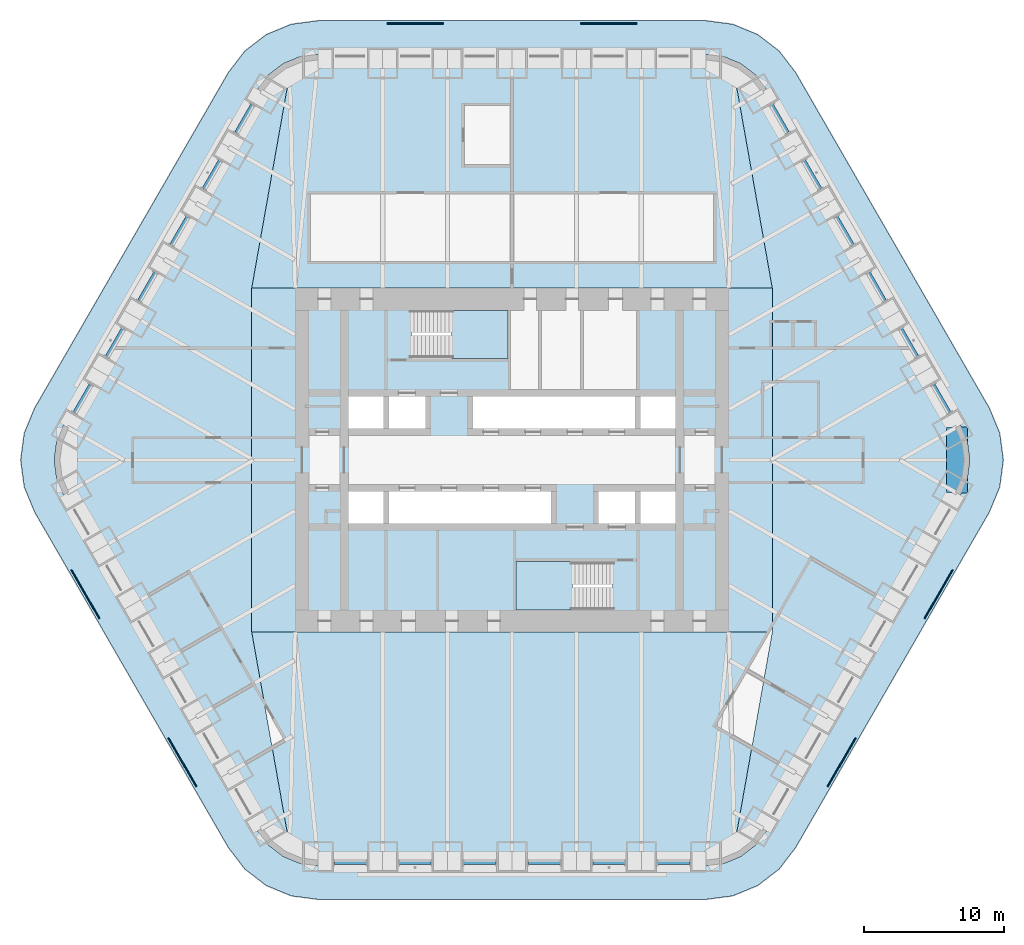
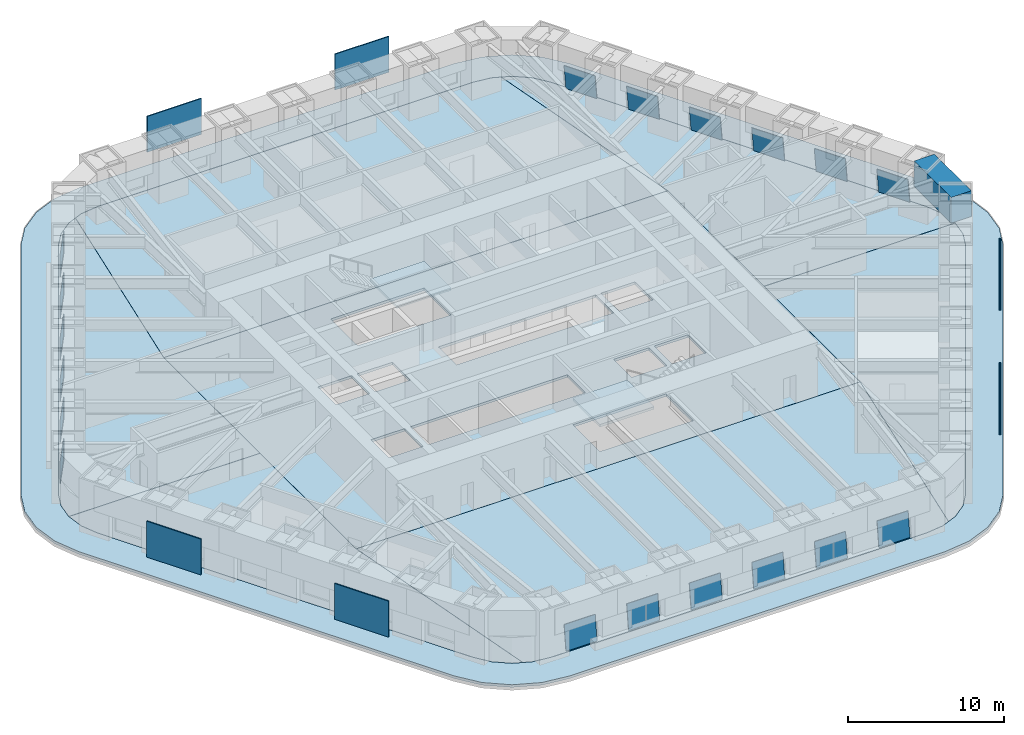
# One storey, part 13 of 20: 24 plates, 10 slabs, 1 beam, 20 elements without a shape of their own.
"""IFC4 building model written with IfcOpenShell, lengths in metres."""

from ifc_helpers import new_model, si_unit, direction, frame, origin, origin_2d, place, context, subcontext, project, spatial, polyline, rectangle, outline, extrude, material, layer, layer_set, material_profile, profile_set, type_object, element, aggregate, save


model = new_model("IFC4")

# Units and contexts
model_context = context("Model", 3, precision=1e-05, world=origin(), true_north=direction((0.0, 1.0)))
body_context = subcontext(model_context, "Body", "Model", "MODEL_VIEW")
ifc_project = project(units=[si_unit("LENGTHUNIT", "METRE"), si_unit("AREAUNIT", "SQUARE_METRE"), si_unit("VOLUMEUNIT", "CUBIC_METRE"), si_unit("PLANEANGLEUNIT", "RADIAN"), si_unit("MASSUNIT", "GRAM", prefix="KILO")], contexts=[model_context])

# Site, building, storey
site_placement = place(None, origin())
site = spatial("IfcSite", under=ifc_project, at=site_placement, CompositionType="ELEMENT")
building_placement = place(site_placement, origin())
building = spatial("IfcBuilding", under=site, at=building_placement, Name="Tarfa Lantern Tower", CompositionType="ELEMENT")
storey_placement = place(building_placement, frame((0.0, 0.0, 215.5)))
storey = spatial("IfcBuildingStorey", under=building, at=storey_placement, Name="L48", CompositionType="ELEMENT", Elevation=215.5)

# Beam
ifc_material_1 = material(Name="Concrete C80/95", Category="concrete")
ifc_material_profile = material_profile(ifc_material_1, rectangle(XDim=1.5, YDim=2.0, at=origin_2d()), Name="RC 1500x2000")
ifc_profile_set = profile_set([ifc_material_profile], Name="Concrete C80/95")
beam_type = type_object("IfcBeamType", Name="RB3 RC 1500x2000", PredefinedType="BEAM", material=ifc_profile_set)
beam_placement = place(storey_placement, frame((31.800537109375, -2.360107421875, 3.0), z_axis=(0.0, 1.0, 0.0), x_axis=(-1.0, 0.0, 0.0)))
element("IfcBeam", 1, at=beam_placement, inside=storey, type_object=beam_type, Name="Edge beam SE6", PredefinedType="BEAM", context=body_context, shape_type="SweptSolid", body=[
    extrude(rectangle(XDim=1.5, YDim=2.0, at=origin_2d()), origin(), (0.0, 0.0, 1.0), 4.72021484375),
])

# Slab
ifc_material_2 = material(Name="Concrete C40/50", Category="concrete")
ifc_layer_1 = layer(ifc_material_2, 0.199951171875)
ifc_layer_set_1 = layer_set([ifc_layer_1], Name="BS2 BALCONY SLAB 200")
slab_type_1 = type_object("IfcSlabType", Name="BS2 BALCONY SLAB 200", PredefinedType="FLOOR", material=ifc_layer_set_1)
slab_1_placement = place(storey_placement, frame((0.0, 0.0, -0.199951171875)))
element("IfcSlab", 2, at=slab_1_placement, inside=storey, type_object=slab_type_1, Name="Planted ledge L48", PredefinedType="FLOOR", context=body_context, shape_type="SweptSolid", body=[
    extrude(outline(polyline([(34.121337890625, 3.699951171875), (20.264892578125, 27.699951171875), (19.089111328125, 29.232666015625), (17.556396484375, 30.40869140625), (15.771728515625, 31.14794921875), (13.8564453125, 31.39990234375), (-13.8564453125, 31.39990234375), (-15.771728515625, 31.14794921875), (-17.556396484375, 30.40869140625), (-19.089111328125, 29.232666015625), (-20.264892578125, 27.699951171875), (-34.121337890625, 3.699951171875), (-34.860595703125, 1.915283203125), (-35.11279296875, 0.0), (-34.860595703125, -1.915283203125), (-34.121337890625, -3.699951171875), (-20.264892578125, -27.699951171875), (-19.089111328125, -29.232666015625), (-17.556396484375, -30.40869140625), (-15.771728515625, -31.14794921875), (-13.8564453125, -31.39990234375), (13.8564453125, -31.39990234375), (15.771728515625, -31.14794921875), (17.556396484375, -30.40869140625), (19.089111328125, -29.232666015625), (20.264892578125, -27.699951171875), (34.121337890625, -3.699951171875), (34.860595703125, -1.915283203125), (35.11279296875, 0.0), (34.860595703125, 1.915283203125), (34.121337890625, 3.699951171875)]), holes=[polyline([(32.04296875, 2.5), (18.1865234375, 26.5), (17.391845703125, 27.53564453125), (16.3564453125, 28.330078125), (15.150390625, 28.82958984375), (13.8564453125, 29.0), (-13.8564453125, 29.0), (-15.150390625, 28.82958984375), (-16.3564453125, 28.330078125), (-17.391845703125, 27.53564453125), (-18.1865234375, 26.5), (-32.04296875, 2.5), (-32.54248046875, 1.294189453125), (-32.712890625, 0.0), (-32.54248046875, -1.294189453125), (-32.04296875, -2.5), (-18.1865234375, -26.5), (-17.391845703125, -27.53564453125), (-16.3564453125, -28.330078125), (-15.150390625, -28.82958984375), (-13.8564453125, -29.0), (13.8564453125, -29.0), (15.150390625, -28.82958984375), (16.3564453125, -28.330078125), (17.391845703125, -27.53564453125), (18.1865234375, -26.5), (32.04296875, -2.5), (32.54248046875, -1.294189453125), (32.712890625, 0.0), (32.54248046875, 1.294189453125), (32.04296875, 2.5)])]), origin(), (0.0, 0.0, 1.0), 0.199951171875),
])

# Curtain wall, plate
ifc_material_3 = material(Name="Aluminium framed curtain wall", Category="aluminium")
curtain_wall_type = type_object("IfcCurtainWallType", Name="CW3 CANTED GLAZING HIGH ZONE 2000", PredefinedType="USERDEFINED", material=ifc_material_3)
curtain_wall_1_placement = place(storey_placement, origin())
curtain_wall_1 = element("IfcCurtainWall", 3, at=curtain_wall_1_placement, inside=storey, type_object=curtain_wall_type, Name="CW3 NE L48", ObjectType="CURTAIN WALL", PredefinedType="USERDEFINED")
ifc_material_4 = material(Name="Laminated double glazing", Category="glass")
ifc_layer_2 = layer(ifc_material_4, 0.028076171875)
ifc_layer_set_2 = layer_set([ifc_layer_2], Name="CWP1 DOUBLE GLAZED PANEL")
plate_type_1 = type_object("IfcPlateType", Name="CWP1 DOUBLE GLAZED PANEL", PredefinedType="CURTAIN_PANEL", material=ifc_layer_set_2)
plate_1_placement = place(storey_placement, frame((31.373779296875, 3.458984375, 0.0), z_axis=(0.859357076642, 0.496096393425, 0.124071685957), x_axis=(-0.499959451571, 0.866048813165, 0.0)))
plate_1 = element("IfcPlate", 4, at=plate_1_placement, type_object=plate_type_1, Name="CW3 panel 1.1", PredefinedType="CURTAIN_PANEL", context=body_context, shape_type="SweptSolid", body=[
    extrude(outline(polyline([(0.0, 0.0), (2.288759829980813, 0.0), (2.2886145658494694, 1.9501267215618459), (-0.0001452641313439562, 1.9501267215618456), (0.0, 0.0)])), origin(), (0.0, 0.0, -1.0), 0.028076171875),
])
aggregate(curtain_wall_1, [plate_1])

curtain_wall_2_placement = place(storey_placement, origin())
curtain_wall_2 = element("IfcCurtainWall", 5, at=curtain_wall_2_placement, inside=storey, type_object=curtain_wall_type, Name="CW3 NE L48", ObjectType="CURTAIN WALL", PredefinedType="USERDEFINED")
plate_2_placement = place(storey_placement, frame((29.064453125, 7.458984375, 0.0), z_axis=(0.85931124491, 0.496175774866, 0.124071692211), x_axis=(-0.500039451542, 0.866002625228, 0.0)))
plate_2 = element("IfcPlate", 6, at=plate_2_placement, type_object=plate_type_1, Name="CW3 panel 1.1", PredefinedType="CURTAIN_PANEL", context=body_context, shape_type="SweptSolid", body=[
    extrude(outline(polyline([(0.0, 0.0), (2.2888819001596765, -4.163336342344337e-17), (2.2887589869052527, 1.950126723098669), (-0.0001229132544235406, 1.950126723098669), (0.0, 0.0)])), origin(), (0.0, 0.0, -1.0), 0.028076171875),
])
aggregate(curtain_wall_2, [plate_2])

curtain_wall_3_placement = place(storey_placement, origin())
curtain_wall_3 = element("IfcCurtainWall", 7, at=curtain_wall_3_placement, inside=storey, type_object=curtain_wall_type, Name="CW3 NE L48", ObjectType="CURTAIN WALL", PredefinedType="USERDEFINED")
plate_3_placement = place(storey_placement, frame((26.755126953125, 11.458984375, 0.0), z_axis=(0.85931124491, 0.496175774866, 0.124071692211), x_axis=(-0.500039451542, 0.866002625228, 0.0)))
plate_3 = element("IfcPlate", 8, at=plate_3_placement, type_object=plate_type_1, Name="CW3 panel 1.1", PredefinedType="CURTAIN_PANEL", context=body_context, shape_type="SweptSolid", body=[
    extrude(outline(polyline([(0.0, 0.0), (2.2888819001596765, -4.163336342344337e-17), (2.2887589869052527, 1.950126723098669), (-0.0001229132544235406, 1.950126723098669), (0.0, 0.0)])), origin(), (0.0, 0.0, -1.0), 0.028076171875),
])
aggregate(curtain_wall_3, [plate_3])

curtain_wall_4_placement = place(storey_placement, origin())
curtain_wall_4 = element("IfcCurtainWall", 9, at=curtain_wall_4_placement, inside=storey, type_object=curtain_wall_type, Name="CW3 NE L48", ObjectType="CURTAIN WALL", PredefinedType="USERDEFINED")
plate_4_placement = place(storey_placement, frame((24.445556640625, 15.458984375, 0.0), z_axis=(0.859357076642, 0.496096393425, 0.124071685957), x_axis=(-0.499959451571, 0.866048813165, 0.0)))
plate_4 = element("IfcPlate", 10, at=plate_4_placement, type_object=plate_type_1, Name="CW3 panel 1.1", PredefinedType="CURTAIN_PANEL", context=body_context, shape_type="SweptSolid", body=[
    extrude(outline(polyline([(0.0, 0.0), (2.288759829980813, 0.0), (2.2886145658494694, 1.9501267215618459), (-0.0001452641313439562, 1.9501267215618456), (0.0, 0.0)])), origin(), (0.0, 0.0, -1.0), 0.028076171875),
])
aggregate(curtain_wall_4, [plate_4])

curtain_wall_5_placement = place(storey_placement, origin())
curtain_wall_5 = element("IfcCurtainWall", 11, at=curtain_wall_5_placement, inside=storey, type_object=curtain_wall_type, Name="CW3 NE L48", ObjectType="CURTAIN WALL", PredefinedType="USERDEFINED")
plate_5_placement = place(storey_placement, frame((22.13623046875, 19.458984375, 0.0), z_axis=(0.859357076642, 0.496096393425, 0.124071685957), x_axis=(-0.499959451571, 0.866048813165, 0.0)))
plate_5 = element("IfcPlate", 12, at=plate_5_placement, type_object=plate_type_1, Name="CW3 panel 1.1", PredefinedType="CURTAIN_PANEL", context=body_context, shape_type="SweptSolid", body=[
    extrude(outline(polyline([(0.0, 0.0), (2.288759829980813, 0.0), (2.2886145658494694, 1.9501267215618459), (-0.0001452641313439562, 1.9501267215618456), (0.0, 0.0)])), origin(), (0.0, 0.0, -1.0), 0.028076171875),
])
aggregate(curtain_wall_5, [plate_5])

curtain_wall_6_placement = place(storey_placement, origin())
curtain_wall_6 = element("IfcCurtainWall", 13, at=curtain_wall_6_placement, inside=storey, type_object=curtain_wall_type, Name="CW3 NE L48", ObjectType="CURTAIN WALL", PredefinedType="USERDEFINED")
plate_6_placement = place(storey_placement, frame((19.826904296875, 23.458984375, 0.0), z_axis=(0.85931124491, 0.496175774866, 0.124071692211), x_axis=(-0.500039451542, 0.866002625228, 0.0)))
plate_6 = element("IfcPlate", 14, at=plate_6_placement, type_object=plate_type_1, Name="CW3 panel 1.1", PredefinedType="CURTAIN_PANEL", context=body_context, shape_type="SweptSolid", body=[
    extrude(outline(polyline([(0.0, 0.0), (2.2888819001596765, -4.163336342344337e-17), (2.2887589869052527, 1.950126723098669), (-0.0001229132544235406, 1.950126723098669), (0.0, 0.0)])), origin(), (0.0, 0.0, -1.0), 0.028076171875),
])
aggregate(curtain_wall_6, [plate_6])

curtain_wall_7_placement = place(storey_placement, origin())
curtain_wall_7 = element("IfcCurtainWall", 15, at=curtain_wall_7_placement, inside=storey, type_object=curtain_wall_type, Name="CW3 NW L48", ObjectType="CURTAIN WALL", PredefinedType="USERDEFINED")
plate_7_placement = place(storey_placement, frame((-18.682373046875, 25.441162109375, 0.0), z_axis=(-0.85931124491, 0.496175774866, 0.124071692211), x_axis=(-0.500039451542, -0.866002625228, 0.0)))
plate_7 = element("IfcPlate", 16, at=plate_7_placement, type_object=plate_type_1, Name="CW3 panel 1.1", PredefinedType="CURTAIN_PANEL", context=body_context, shape_type="SweptSolid", body=[
    extrude(outline(polyline([(0.0, 0.0), (2.2888819001596765, 4.163336342344337e-17), (2.2890048134141, 1.950126723098669), (0.0001229132544235406, 1.950126723098669), (0.0, 0.0)])), origin(), (0.0, 0.0, -1.0), 0.028076171875),
])
aggregate(curtain_wall_7, [plate_7])

curtain_wall_8_placement = place(storey_placement, origin())
curtain_wall_8 = element("IfcCurtainWall", 17, at=curtain_wall_8_placement, inside=storey, type_object=curtain_wall_type, Name="CW3 NW L48", ObjectType="CURTAIN WALL", PredefinedType="USERDEFINED")
plate_8_placement = place(storey_placement, frame((-20.991943359375, 21.441162109375, 0.0), z_axis=(-0.859357076642, 0.496096393425, 0.124071685957), x_axis=(-0.499959451571, -0.866048813165, 0.0)))
plate_8 = element("IfcPlate", 18, at=plate_8_placement, type_object=plate_type_1, Name="CW3 panel 1.1", PredefinedType="CURTAIN_PANEL", context=body_context, shape_type="SweptSolid", body=[
    extrude(outline(polyline([(0.0, 0.0), (2.288759829980813, 0.0), (2.2889050941121574, 1.9501267215618459), (0.0001452641313439562, 1.9501267215618456), (0.0, 0.0)])), origin(), (0.0, 0.0, -1.0), 0.028076171875),
])
aggregate(curtain_wall_8, [plate_8])

curtain_wall_9_placement = place(storey_placement, origin())
curtain_wall_9 = element("IfcCurtainWall", 19, at=curtain_wall_9_placement, inside=storey, type_object=curtain_wall_type, Name="CW3 NW L48", ObjectType="CURTAIN WALL", PredefinedType="USERDEFINED")
plate_9_placement = place(storey_placement, frame((-23.30126953125, 17.441162109375, 0.0), z_axis=(-0.859357076642, 0.496096393425, 0.124071685957), x_axis=(-0.499959451571, -0.866048813165, 0.0)))
plate_9 = element("IfcPlate", 20, at=plate_9_placement, type_object=plate_type_1, Name="CW3 panel 1.1", PredefinedType="CURTAIN_PANEL", context=body_context, shape_type="SweptSolid", body=[
    extrude(outline(polyline([(0.0, 0.0), (2.288759829980813, 0.0), (2.2889050941121574, 1.9501267215618459), (0.0001452641313439562, 1.9501267215618456), (0.0, 0.0)])), origin(), (0.0, 0.0, -1.0), 0.028076171875),
])
aggregate(curtain_wall_9, [plate_9])

curtain_wall_10_placement = place(storey_placement, origin())
curtain_wall_10 = element("IfcCurtainWall", 21, at=curtain_wall_10_placement, inside=storey, type_object=curtain_wall_type, Name="CW3 NW L48", ObjectType="CURTAIN WALL", PredefinedType="USERDEFINED")
plate_10_placement = place(storey_placement, frame((-25.610595703125, 13.441162109375, 0.0), z_axis=(-0.85931124491, 0.496175774866, 0.124071692211), x_axis=(-0.500039451542, -0.866002625228, 0.0)))
plate_10 = element("IfcPlate", 22, at=plate_10_placement, type_object=plate_type_1, Name="CW3 panel 1.1", PredefinedType="CURTAIN_PANEL", context=body_context, shape_type="SweptSolid", body=[
    extrude(outline(polyline([(0.0, 0.0), (2.2888819001596765, 4.163336342344337e-17), (2.2890048134141, 1.950126723098669), (0.0001229132544235406, 1.950126723098669), (0.0, 0.0)])), origin(), (0.0, 0.0, -1.0), 0.028076171875),
])
aggregate(curtain_wall_10, [plate_10])

curtain_wall_11_placement = place(storey_placement, origin())
curtain_wall_11 = element("IfcCurtainWall", 23, at=curtain_wall_11_placement, inside=storey, type_object=curtain_wall_type, Name="CW3 NW L48", ObjectType="CURTAIN WALL", PredefinedType="USERDEFINED")
plate_11_placement = place(storey_placement, frame((-27.919921875, 9.441162109375, 0.0), z_axis=(-0.85931124491, 0.496175774866, 0.124071692211), x_axis=(-0.500039451542, -0.866002625228, 0.0)))
plate_11 = element("IfcPlate", 24, at=plate_11_placement, type_object=plate_type_1, Name="CW3 panel 1.1", PredefinedType="CURTAIN_PANEL", context=body_context, shape_type="SweptSolid", body=[
    extrude(outline(polyline([(0.0, 0.0), (2.2888819001596765, 4.163336342344337e-17), (2.2890048134141, 1.950126723098669), (0.0001229132544235406, 1.950126723098669), (0.0, 0.0)])), origin(), (0.0, 0.0, -1.0), 0.028076171875),
])
aggregate(curtain_wall_11, [plate_11])

curtain_wall_12_placement = place(storey_placement, origin())
curtain_wall_12 = element("IfcCurtainWall", 25, at=curtain_wall_12_placement, inside=storey, type_object=curtain_wall_type, Name="CW3 NW L48", ObjectType="CURTAIN WALL", PredefinedType="USERDEFINED")
plate_12_placement = place(storey_placement, frame((-30.2294921875, 5.441162109375, 0.0), z_axis=(-0.859357076642, 0.496096393425, 0.124071685957), x_axis=(-0.499959451571, -0.866048813165, 0.0)))
plate_12 = element("IfcPlate", 26, at=plate_12_placement, type_object=plate_type_1, Name="CW3 panel 1.1", PredefinedType="CURTAIN_PANEL", context=body_context, shape_type="SweptSolid", body=[
    extrude(outline(polyline([(0.0, 0.0), (2.288759829980813, 0.0), (2.2889050941121574, 1.9501267215618459), (0.0001452641313439562, 1.9501267215618456), (0.0, 0.0)])), origin(), (0.0, 0.0, -1.0), 0.028076171875),
])
aggregate(curtain_wall_12, [plate_12])

curtain_wall_13_placement = place(storey_placement, origin())
curtain_wall_13 = element("IfcCurtainWall", 27, at=curtain_wall_13_placement, inside=storey, type_object=curtain_wall_type, Name="CW3 S L48", ObjectType="CURTAIN WALL", PredefinedType="USERDEFINED")
plate_13_placement = place(storey_placement, frame((-12.69140625, -28.89990234375, 0.0), z_axis=(0.0, -0.992289428797, 0.123942282931), x_axis=(1.0, 0.0, 0.0)))
plate_13 = element("IfcPlate", 28, at=plate_13_placement, type_object=plate_type_1, Name="CW3 panel 1.1", PredefinedType="CURTAIN_PANEL", context=body_context, shape_type="SweptSolid", body=[
    extrude(outline(polyline([(0.0, 0.0), (2.288818359375, 0.0), (2.288818359375, 1.9500949396350138), (0.0, 1.9500949396350138), (0.0, 0.0)])), origin(), (0.0, 0.0, -1.0), 0.028076171875),
])
aggregate(curtain_wall_13, [plate_13])

curtain_wall_14_placement = place(storey_placement, origin())
curtain_wall_14 = element("IfcCurtainWall", 29, at=curtain_wall_14_placement, inside=storey, type_object=curtain_wall_type, Name="CW3 S L48", ObjectType="CURTAIN WALL", PredefinedType="USERDEFINED")
plate_14_placement = place(storey_placement, frame((-8.072509765625, -28.89990234375, 0.0), z_axis=(0.0, -0.992289428797, 0.123942282931), x_axis=(1.0, 0.0, 0.0)))
plate_14 = element("IfcPlate", 30, at=plate_14_placement, type_object=plate_type_1, Name="CW3 panel 1.1", PredefinedType="CURTAIN_PANEL", context=body_context, shape_type="SweptSolid", body=[
    extrude(outline(polyline([(0.0, 0.0), (2.288818359375, 0.0), (2.288818359375, 1.9500949396350138), (0.0, 1.9500949396350138), (0.0, 0.0)])), origin(), (0.0, 0.0, -1.0), 0.028076171875),
])
aggregate(curtain_wall_14, [plate_14])

curtain_wall_15_placement = place(storey_placement, origin())
curtain_wall_15 = element("IfcCurtainWall", 31, at=curtain_wall_15_placement, inside=storey, type_object=curtain_wall_type, Name="CW3 S L48", ObjectType="CURTAIN WALL", PredefinedType="USERDEFINED")
plate_15_placement = place(storey_placement, frame((-3.453857421875, -28.89990234375, 0.0), z_axis=(0.0, -0.992289428797, 0.123942282931), x_axis=(1.0, 0.0, 0.0)))
plate_15 = element("IfcPlate", 32, at=plate_15_placement, type_object=plate_type_1, Name="CW3 panel 1.1", PredefinedType="CURTAIN_PANEL", context=body_context, shape_type="SweptSolid", body=[
    extrude(outline(polyline([(0.0, 0.0), (2.288818359375, 0.0), (2.288818359375, 1.9500949396350138), (0.0, 1.9500949396350138), (0.0, 0.0)])), origin(), (0.0, 0.0, -1.0), 0.028076171875),
])
aggregate(curtain_wall_15, [plate_15])

curtain_wall_16_placement = place(storey_placement, origin())
curtain_wall_16 = element("IfcCurtainWall", 33, at=curtain_wall_16_placement, inside=storey, type_object=curtain_wall_type, Name="CW3 S L48", ObjectType="CURTAIN WALL", PredefinedType="USERDEFINED")
plate_16_placement = place(storey_placement, frame((1.1650390625, -28.89990234375, 0.0), z_axis=(0.0, -0.992289428797, 0.123942282931), x_axis=(1.0, 0.0, 0.0)))
plate_16 = element("IfcPlate", 34, at=plate_16_placement, type_object=plate_type_1, Name="CW3 panel 1.1", PredefinedType="CURTAIN_PANEL", context=body_context, shape_type="SweptSolid", body=[
    extrude(outline(polyline([(0.0, 0.0), (2.288818359375, 0.0), (2.288818359375, 1.9500949396350138), (0.0, 1.9500949396350138), (0.0, 0.0)])), origin(), (0.0, 0.0, -1.0), 0.028076171875),
])
aggregate(curtain_wall_16, [plate_16])

curtain_wall_17_placement = place(storey_placement, origin())
curtain_wall_17 = element("IfcCurtainWall", 35, at=curtain_wall_17_placement, inside=storey, type_object=curtain_wall_type, Name="CW3 S L48", ObjectType="CURTAIN WALL", PredefinedType="USERDEFINED")
plate_17_placement = place(storey_placement, frame((5.78369140625, -28.89990234375, 0.0), z_axis=(0.0, -0.992289428797, 0.123942282931), x_axis=(1.0, 0.0, 0.0)))
plate_17 = element("IfcPlate", 36, at=plate_17_placement, type_object=plate_type_1, Name="CW3 panel 1.1", PredefinedType="CURTAIN_PANEL", context=body_context, shape_type="SweptSolid", body=[
    extrude(outline(polyline([(0.0, 0.0), (2.288818359375, 0.0), (2.288818359375, 1.9500949396350138), (0.0, 1.9500949396350138), (0.0, 0.0)])), origin(), (0.0, 0.0, -1.0), 0.028076171875),
])
aggregate(curtain_wall_17, [plate_17])

curtain_wall_18_placement = place(storey_placement, origin())
curtain_wall_18 = element("IfcCurtainWall", 37, at=curtain_wall_18_placement, inside=storey, type_object=curtain_wall_type, Name="CW3 S L48", ObjectType="CURTAIN WALL", PredefinedType="USERDEFINED")
plate_18_placement = place(storey_placement, frame((10.402587890625, -28.89990234375, 0.0), z_axis=(0.0, -0.992289428797, 0.123942282931), x_axis=(1.0, 0.0, 0.0)))
plate_18 = element("IfcPlate", 38, at=plate_18_placement, type_object=plate_type_1, Name="CW3 panel 1.1", PredefinedType="CURTAIN_PANEL", context=body_context, shape_type="SweptSolid", body=[
    extrude(outline(polyline([(0.0, 0.0), (2.288818359375, 0.0), (2.288818359375, 1.9500949396350138), (0.0, 1.9500949396350138), (0.0, 0.0)])), origin(), (0.0, 0.0, -1.0), 0.028076171875),
])
aggregate(curtain_wall_18, [plate_18])

# Slabs
ifc_layer_3 = layer(ifc_material_2, 0.199951171875)
ifc_layer_set_3 = layer_set([ifc_layer_3], Name="FS1 FLOOR SLAB 200")
slab_type_2 = type_object("IfcSlabType", Name="FS1 FLOOR SLAB 200", PredefinedType="FLOOR", material=ifc_layer_set_3)
slab_2_placement = place(storey_placement, frame((0.0, 0.0, -0.199951171875)))
element("IfcSlab", 39, at=slab_2_placement, inside=storey, type_object=slab_type_2, Name="Floor slab L48", PredefinedType="FLOOR", context=body_context, shape_type="SweptSolid", body=[
    extrude(outline(polyline([(-18.60009765625, -12.300048828125), (18.60009765625, -12.300048828125), (18.60009765625, 12.300048828125), (-18.60009765625, 12.300048828125), (-18.60009765625, -12.300048828125)]), holes=[polyline([(-11.699951171875, 2.25), (-9.199951171875, 2.25), (-9.199951171875, 4.550048828125), (-11.699951171875, 4.550048828125), (-11.699951171875, 2.25)]), polyline([(-8.800048828125, 2.25), (-6.199951171875, 2.25), (-6.199951171875, 4.550048828125), (-8.800048828125, 4.550048828125), (-8.800048828125, 2.25)]), polyline([(-2.800048828125, 2.25), (8.800048828125, 2.25), (8.800048828125, 4.550048828125), (-2.800048828125, 4.550048828125), (-2.800048828125, 2.25)]), polyline([(9.199951171875, 2.25), (11.699951171875, 2.25), (11.699951171875, 4.550048828125), (9.199951171875, 4.550048828125), (9.199951171875, 2.25)]), polyline([(11.699951171875, -2.25), (9.199951171875, -2.25), (9.199951171875, -4.550048828125), (11.699951171875, -4.550048828125), (11.699951171875, -2.25)]), polyline([(8.800048828125, -2.25), (6.199951171875, -2.25), (6.199951171875, -4.550048828125), (8.800048828125, -4.550048828125), (8.800048828125, -2.25)]), polyline([(2.800048828125, -2.25), (-8.800048828125, -2.25), (-8.800048828125, -4.550048828125), (2.800048828125, -4.550048828125), (2.800048828125, -2.25)]), polyline([(-9.199951171875, -2.25), (-11.699951171875, -2.25), (-11.699951171875, -4.550048828125), (-9.199951171875, -4.550048828125), (-9.199951171875, -2.25)]), polyline([(-7.199951171875, 7.25), (-0.300048828125, 7.25), (-0.300048828125, 10.699951171875), (-7.199951171875, 10.699951171875), (-7.199951171875, 7.25)]), polyline([(7.199951171875, -7.25), (0.300048828125, -7.25), (0.300048828125, -10.699951171875), (7.199951171875, -10.699951171875), (7.199951171875, -7.25)])]), origin(), (0.0, 0.0, 1.0), 0.199951171875),
])
slab_3_placement = place(storey_placement, frame((0.0, 0.0, -0.199951171875)))
element("IfcSlab", 40, at=slab_3_placement, inside=storey, type_object=slab_type_2, Name="Floor slab L48 NE bay", PredefinedType="FLOOR", context=body_context, shape_type="SweptSolid", body=[
    extrude(outline(polyline([(32.041259765625, 2.4990234375), (18.184814453125, 26.498779296875), (17.390625, 27.5341796875), (16.35546875, 28.328369140625), (15.715576171875, 28.59326171875), (18.60205078125, 12.30029296875), (18.60205078125, 0.001953125), (32.71044921875, 0.001953125), (32.54052734375, 1.29345703125), (32.041259765625, 2.4990234375)])), origin(), (0.0, 0.0, 1.0), 0.199951171875),
])
slab_4_placement = place(storey_placement, frame((0.0, 0.0, -0.199951171875)))
element("IfcSlab", 41, at=slab_4_placement, inside=storey, type_object=slab_type_2, Name="Floor slab L48 N bay", PredefinedType="FLOOR", context=body_context, shape_type="SweptSolid", body=[
    extrude(outline(polyline([(-18.59765625, 12.302001953125), (18.59765625, 12.302001953125), (15.711181640625, 28.59521484375), (15.14990234375, 28.82763671875), (13.856201171875, 28.998046875), (-13.856201171875, 28.998046875), (-15.14990234375, 28.82763671875), (-15.711181640625, 28.59521484375), (-18.59765625, 12.302001953125)])), origin(), (0.0, 0.0, 1.0), 0.199951171875),
])
slab_5_placement = place(storey_placement, frame((0.0, 0.0, -0.199951171875)))
element("IfcSlab", 42, at=slab_5_placement, inside=storey, type_object=slab_type_2, Name="Floor slab L48 NW bay", PredefinedType="FLOOR", context=body_context, shape_type="SweptSolid", body=[
    extrude(outline(polyline([(-18.60205078125, 0.001953125), (-18.60205078125, 12.30029296875), (-15.715576171875, 28.59326171875), (-16.35546875, 28.328369140625), (-17.390625, 27.5341796875), (-18.184814453125, 26.498779296875), (-32.041259765625, 2.4990234375), (-32.54052734375, 1.29345703125), (-32.71044921875, 0.001953125), (-18.60205078125, 0.001953125)])), origin(), (0.0, 0.0, 1.0), 0.199951171875),
])
slab_6_placement = place(storey_placement, frame((0.0, 0.0, -0.199951171875)))
element("IfcSlab", 43, at=slab_6_placement, inside=storey, type_object=slab_type_2, Name="Floor slab L48 SW bay", PredefinedType="FLOOR", context=body_context, shape_type="SweptSolid", body=[
    extrude(outline(polyline([(-18.60205078125, -12.30029296875), (-18.60205078125, -0.001953125), (-32.71044921875, -0.001953125), (-32.54052734375, -1.29345703125), (-32.041259765625, -2.4990234375), (-18.184814453125, -26.498779296875), (-17.390625, -27.5341796875), (-16.35546875, -28.328369140625), (-15.715576171875, -28.59326171875), (-18.60205078125, -12.30029296875)])), origin(), (0.0, 0.0, 1.0), 0.199951171875),
])
slab_7_placement = place(storey_placement, frame((0.0, 0.0, -0.199951171875)))
element("IfcSlab", 44, at=slab_7_placement, inside=storey, type_object=slab_type_2, Name="Floor slab L48 S bay", PredefinedType="FLOOR", context=body_context, shape_type="SweptSolid", body=[
    extrude(outline(polyline([(18.59765625, -12.302001953125), (-18.59765625, -12.302001953125), (-15.711181640625, -28.59521484375), (-15.14990234375, -28.82763671875), (-13.856201171875, -28.998046875), (13.856201171875, -28.998046875), (15.14990234375, -28.82763671875), (15.711181640625, -28.59521484375), (18.59765625, -12.302001953125)])), origin(), (0.0, 0.0, 1.0), 0.199951171875),
])
slab_8_placement = place(storey_placement, frame((0.0, 0.0, -0.199951171875)))
element("IfcSlab", 45, at=slab_8_placement, inside=storey, type_object=slab_type_2, Name="Floor slab L48 SE bay", PredefinedType="FLOOR", context=body_context, shape_type="SweptSolid", body=[
    extrude(outline(polyline([(18.60205078125, -0.001953125), (18.60205078125, -12.30029296875), (15.715576171875, -28.59326171875), (16.35546875, -28.328369140625), (17.390625, -27.5341796875), (18.184814453125, -26.498779296875), (32.041259765625, -2.4990234375), (32.54052734375, -1.29345703125), (32.71044921875, -0.001953125), (18.60205078125, -0.001953125)])), origin(), (0.0, 0.0, 1.0), 0.199951171875),
])

# Plates
ifc_material_5 = material(Name="Perforated limestone screen", Category="masonry")
ifc_layer_4 = layer(ifc_material_5, 0.080078125)
ifc_layer_set_4 = layer_set([ifc_layer_4], Name="SC1 STONE SCREEN 80")
plate_type_2 = type_object("IfcPlateType", Name="SC1 STONE SCREEN 80", PredefinedType="USERDEFINED", material=ifc_layer_set_4)
for number, where, z_axis, x_axis, name in (
    (46, (6.92822265625, 31.199951171875, 1.2001953125), (0.0, 0.0, 1.0), (-1.0, 0.0, 0.0), "Stone screen N 1"),
    (47, (-6.92822265625, 31.199951171875, 1.2001953125), (0.0, 0.0, 1.0), (-1.0, 0.0, 0.0), "Stone screen N 2"),
    (48, (-30.484130859375, -9.60009765625, 1.2001953125), (0.0, 0.0, 1.0), (0.5, -0.866025403784, 0.0), "Stone screen SW 1"),
    (49, (-23.555908203125, -21.60009765625, 1.2001953125), (0.0, 0.0, 1.0), (0.5, -0.866025403784, 0.0), "Stone screen SW 2"),
    (50, (23.555908203125, -21.60009765625, 1.2001953125), (0.0, 0.0, 1.0), (0.5, 0.866025403784, 0.0), "Stone screen SE 1"),
    (51, (30.484130859375, -9.60009765625, 1.2001953125), (0.0, 0.0, 1.0), (0.5, 0.866025403784, 0.0), "Stone screen SE 2"),
):
    element("IfcPlate", number, at=place(storey_placement, frame(where, z_axis=z_axis, x_axis=x_axis)), inside=storey, type_object=plate_type_2, Name=name, ObjectType="SCREEN", PredefinedType="USERDEFINED", context=body_context, shape_type="SweptSolid", body=[
        extrude(rectangle(XDim=4.0, YDim=0.080078125, at=origin_2d()), origin(), (0.0, 0.0, 1.0), 2.800048828125),
    ])

# Stair, slab
stair_type = type_object("IfcStairType", Name="ST-T10 HALF-TURN STAIR 4200 RISE", PredefinedType="HALF_TURN_STAIR", material=ifc_material_2)
stair_1_placement = place(storey_placement, origin())
stair_1 = element("IfcStair", 52, at=stair_1_placement, inside=storey, type_object=stair_type, Name="Stair ST1", PredefinedType="HALF_TURN_STAIR")
ifc_layer_5 = layer(ifc_material_2, 0.199951171875)
ifc_layer_set_5 = layer_set([ifc_layer_5], Name="SL1 STAIR LANDING 200")
slab_type_3 = type_object("IfcSlabType", Name="SL1 STAIR LANDING 200", PredefinedType="LANDING", material=ifc_layer_set_5)
slab_9_placement = place(storey_placement, frame((0.0, 0.0, 1.89990234375)))
slab_9 = element("IfcSlab", 53, at=slab_9_placement, type_object=slab_type_3, Name="ST1 landing 1", PredefinedType="LANDING", context=body_context, shape_type="SweptSolid", body=[
    extrude(outline(polyline([(-4.320068359375, 7.25), (-0.300048828125, 7.25), (-0.300048828125, 10.699951171875), (-4.320068359375, 10.699951171875), (-4.320068359375, 7.25)])), origin(), (0.0, 0.0, 1.0), 0.2001953125),
])
aggregate(stair_1, [slab_9])

stair_2_placement = place(storey_placement, origin())
stair_2 = element("IfcStair", 54, at=stair_2_placement, inside=storey, type_object=stair_type, Name="Stair ST2", PredefinedType="HALF_TURN_STAIR")
slab_10_placement = place(storey_placement, frame((0.0, 0.0, 1.89990234375)))
slab_10 = element("IfcSlab", 55, at=slab_10_placement, type_object=slab_type_3, Name="ST2 landing 1", PredefinedType="LANDING", context=body_context, shape_type="SweptSolid", body=[
    extrude(outline(polyline([(4.320068359375, -7.25), (0.300048828125, -7.25), (0.300048828125, -10.699951171875), (4.320068359375, -10.699951171875), (4.320068359375, -7.25)])), origin(), (0.0, 0.0, 1.0), 0.2001953125),
])
aggregate(stair_2, [slab_10])

save(model, "model.ifc")
